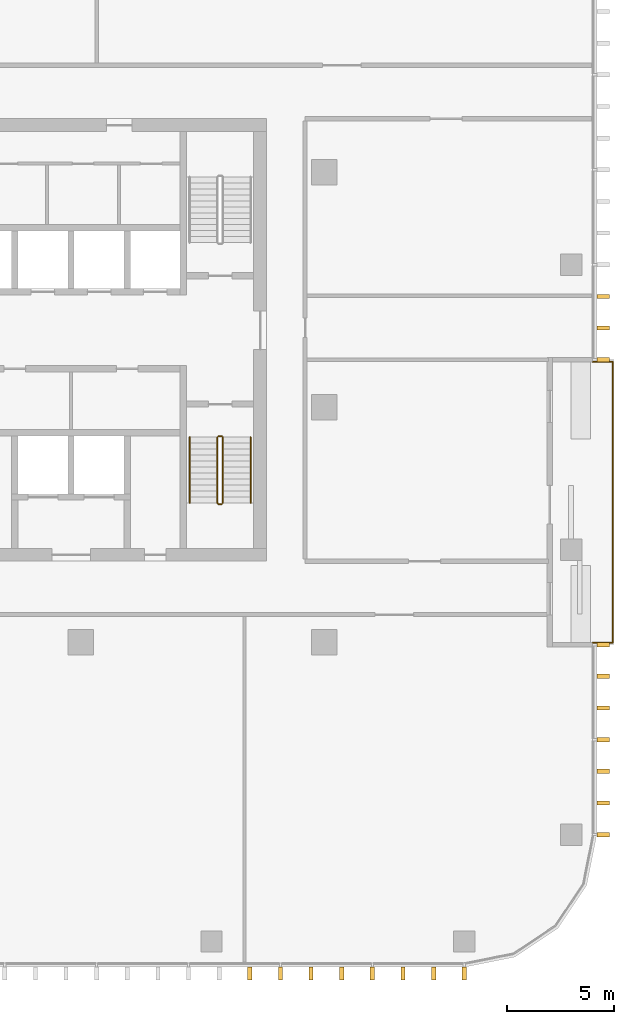
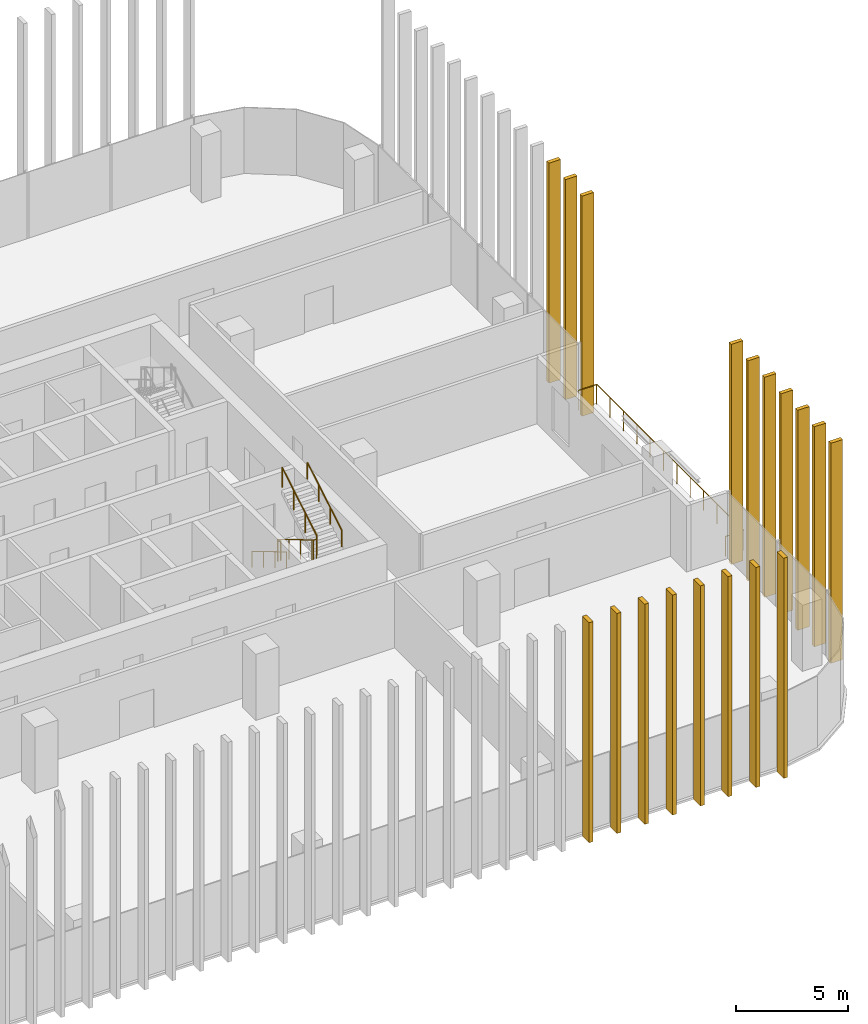
# One storey, part 13 of 16: 18 shading devices, 6 railings.
"""IFC4 building model written with IfcOpenShell, lengths in metres."""

import ifcopenshell
import ifcopenshell.guid

model = None  # the IFC model being written
_history = None  # IfcOwnerHistory: only IFC2X3 demands one
_inside = {}  # id of a spatial element -> (the spatial element, [elements in it])
_under = {}  # id of a project, library or spatial element -> (it, [spatial elements below it])
_declared = {}  # id of a project -> (the project, [libraries it declares])
_typed = {}  # id of a type object -> (the type object, [elements of that type])
_made_of = {}  # id of a material, layer set ... -> (it, [elements and type objects made of it])


def new_model(schema):
    """Start an empty IFC model of exactly this schema.

    Asked for "IFC4X3", IfcOpenShell would pick the latest addendum, in which some entities
    have other attributes; the version numbers below select the first issue.
    IFC2X3 requires an IfcOwnerHistory on every rooted entity: one is made here for all.
    """
    global model, _history
    if schema == "IFC4X3":
        model = ifcopenshell.file(schema_version=(4, 3, 0, 0))
    else:
        model = ifcopenshell.file(schema=schema)
    _inside.clear()
    _under.clear()
    _declared.clear()
    _typed.clear()
    _made_of.clear()
    _history = None
    if model.schema == "IFC2X3":
        org = make("IfcOrganization", Name="unknown")
        user = make(
            "IfcPersonAndOrganization",
            ThePerson=make("IfcPerson", FamilyName="unknown"),
            TheOrganization=org,
        )
        app = make(
            "IfcApplication",
            ApplicationDeveloper=org,
            Version="unknown",
            ApplicationFullName="unknown",
            ApplicationIdentifier="unknown",
        )
        _history = make(
            "IfcOwnerHistory",
            OwningUser=user,
            OwningApplication=app,
            ChangeAction="ADDED",
            CreationDate=0,
        )
    return model


def make(cls, **values):
    """One entity of the class cls with the attributes given. An attribute that is None is left unset."""
    return model.create_entity(
        cls, **{name: value for name, value in values.items() if value is not None}
    )


def rooted(cls, **values):
    """An entity with a GlobalId (a new one), such as an element, a storey or a relation."""
    return make(cls, GlobalId=ifcopenshell.guid.new(), OwnerHistory=_history, **values)


def si_unit(unit_type, name, prefix=None):
    """IfcSIUnit, for example si_unit("LENGTHUNIT", "METRE", prefix="MILLI")."""
    return make("IfcSIUnit", UnitType=unit_type, Prefix=prefix, Name=name)


def assignment(units):
    """IfcUnitAssignment: the units of a project."""
    return None if units is None else make("IfcUnitAssignment", Units=units)


def point(xyz):
    """IfcCartesianPoint."""
    return None if xyz is None else make("IfcCartesianPoint", Coordinates=xyz)


def direction(xyz):
    """IfcDirection."""
    return None if xyz is None else make("IfcDirection", DirectionRatios=xyz)


def frame(location, z_axis=None, x_axis=None):
    """IfcAxis2Placement3D, a coordinate frame: its origin and axes. An axis left out is left unset."""
    return make(
        "IfcAxis2Placement3D",
        Location=point(location),
        Axis=direction(z_axis),
        RefDirection=direction(x_axis),
    )


def frame_2d(location, x_axis=None):
    """IfcAxis2Placement2D, a coordinate frame in the plane: its origin and x axis."""
    return make(
        "IfcAxis2Placement2D", Location=point(location), RefDirection=direction(x_axis)
    )


def origin():
    """The frame at (0, 0, 0) with its axes left unset."""
    return frame((0.0, 0.0, 0.0))


def origin_2d():
    """The frame at (0, 0) in the plane with its x axis left unset."""
    return frame_2d((0.0, 0.0))


def place(relative_to, where):
    """IfcLocalPlacement: puts the frame where relative to a parent placement (None: the world)."""
    return make(
        "IfcLocalPlacement", PlacementRelTo=relative_to, RelativePlacement=where
    )


def context(
    kind, dimensions, precision=None, world=None, true_north=None, identifier=None
):
    """IfcGeometricRepresentationContext, for example the 3D "Model" context."""
    return make(
        "IfcGeometricRepresentationContext",
        ContextIdentifier=identifier,
        ContextType=kind,
        CoordinateSpaceDimension=dimensions,
        Precision=precision,
        WorldCoordinateSystem=world,
        TrueNorth=true_north,
    )


def subcontext(parent, identifier, kind, view, scale=None):
    """IfcGeometricRepresentationSubContext, for example "Body" below "Model"."""
    return make(
        "IfcGeometricRepresentationSubContext",
        ContextIdentifier=identifier,
        ContextType=kind,
        ParentContext=parent,
        TargetScale=scale,
        TargetView=view,
    )


def project(units=None, contexts=None):
    """IfcProject with its units and contexts."""
    return rooted(
        "IfcProject",
        Name="project",
        RepresentationContexts=contexts,
        UnitsInContext=assignment(units),
    )


def spatial(cls, under=None, at=None, **own):
    """A site, building, storey or space (cls), placed at a placement, below another one or the project."""
    s = rooted(cls, ObjectPlacement=at, **own)
    if under is not None:
        _under.setdefault(under.id(), (under, []))[1].append(s)
    return s


def profile(cls, at=None, kind="AREA", **sizes):
    """A parametric profile (cls). Its sizes go by their IFC names, for example OverallWidth=200.0."""
    return make(cls, ProfileType=kind, Position=at, **sizes)


def rectangle(**sizes):
    """IfcRectangleProfileDef."""
    return profile("IfcRectangleProfileDef", **sizes)


def circle(**sizes):
    """IfcCircleProfileDef."""
    return profile("IfcCircleProfileDef", **sizes)


def extrude(swept, where, along, depth):
    """IfcExtrudedAreaSolid: the profile swept, set in the frame where, extruded along a direction by depth."""
    return make(
        "IfcExtrudedAreaSolid",
        SweptArea=swept,
        Position=where,
        ExtrudedDirection=direction(along),
        Depth=depth,
    )


def shape(context_of_items, identifier, shape_type, items):
    """IfcShapeRepresentation: the items that make up one representation, for example the "Body"."""
    return make(
        "IfcShapeRepresentation",
        ContextOfItems=context_of_items,
        RepresentationIdentifier=identifier,
        RepresentationType=shape_type,
        Items=items,
    )


def material(Name=None, Category=None):
    """IfcMaterial."""
    return make("IfcMaterial", Name=Name, Category=Category)


def made_of(thing, what):
    """Note that an element or type object is made of a material, layer set ...; save() writes the relation."""
    if what is not None:
        _made_of.setdefault(what.id(), (what, []))[1].append(thing)
    return thing


def type_object(cls, material=None, **own):
    """A type object (cls), such as IfcWallType, which elements share."""
    return made_of(rooted(cls, **own), material)


def element(
    cls,
    number,
    at=None,
    inside=None,
    cuts=None,
    type_object=None,
    material=None,
    context=None,
    identifier="Body",
    shape_type=None,
    held_by="IfcProductDefinitionShape",
    body=None,
    shapes=None,
    **own,
):
    """One element of the class cls, such as IfcWall. Its Tag is "e" and its number.

    at: its placement. inside: the storey or other place that contains it. cuts: it is an
    opening in that element (IfcRelVoidsElement). A single representation is given by context,
    identifier, shape_type and body (its items); several are given by shapes. held_by: the class
    of the entity that holds the representations. save() writes the other relations.
    """
    e = rooted(cls, Tag="e%d" % number, ObjectPlacement=at, **own)
    if body is not None:
        shapes = [shape(context, identifier, shape_type, body)]
    if shapes is not None:
        e.Representation = make(held_by, Representations=shapes)
    if inside is not None:
        _inside.setdefault(inside.id(), (inside, []))[1].append(e)
    if cuts is not None:
        rooted(
            "IfcRelVoidsElement", RelatingBuildingElement=cuts, RelatedOpeningElement=e
        )
    if type_object is not None:
        _typed.setdefault(type_object.id(), (type_object, []))[1].append(e)
    return made_of(e, material)


def aggregate(whole, parts):
    """IfcRelAggregates: a whole, such as a stair, and the parts it consists of."""
    return rooted("IfcRelAggregates", RelatingObject=whole, RelatedObjects=parts)


def save(model, path):
    """Write the relations noted so far, then the file.

    IfcRelAggregates (storeys below a building ...), IfcRelContainedInSpatialStructure (elements
    in a storey), IfcRelDefinesByType, IfcRelAssociatesMaterial and IfcRelDeclares: one each for
    every whole, place, type object, material and project.
    """
    for whole, parts in _under.values():
        aggregate(whole, parts)
    for where, things in _inside.values():
        rooted(
            "IfcRelContainedInSpatialStructure",
            RelatedElements=things,
            RelatingStructure=where,
        )
    for kind, things in _typed.values():
        rooted("IfcRelDefinesByType", RelatedObjects=things, RelatingType=kind)
    for what, things in _made_of.values():
        rooted("IfcRelAssociatesMaterial", RelatedObjects=things, RelatingMaterial=what)
    for by, libraries in _declared.values():
        rooted("IfcRelDeclares", RelatingContext=by, RelatedDefinitions=libraries)
    model.write(path)


model = new_model("IFC4")

# Units and contexts
model_context = context("Model", 3, precision=1e-05, world=origin(), true_north=direction((0.0, 1.0)))
body_context = subcontext(model_context, "Body", "Model", "MODEL_VIEW")
ifc_project = project(units=[si_unit("LENGTHUNIT", "METRE"), si_unit("AREAUNIT", "SQUARE_METRE"), si_unit("VOLUMEUNIT", "CUBIC_METRE"), si_unit("PLANEANGLEUNIT", "RADIAN"), si_unit("MASSUNIT", "GRAM", prefix="KILO")], contexts=[model_context])

# Site, building, storey
site_placement = place(None, origin())
site = spatial("IfcSite", under=ifc_project, at=site_placement, CompositionType="ELEMENT")
building_placement = place(site_placement, origin())
building = spatial("IfcBuilding", under=site, at=building_placement, Name="Mopane Tessera Tower", CompositionType="ELEMENT")
storey_placement = place(building_placement, frame((0.0, 0.0, 267.39990234375)))
storey = spatial("IfcBuildingStorey", under=building, at=storey_placement, Name="L57", CompositionType="ELEMENT", Elevation=267.39990234375)

# Shading devices
ifc_material_1 = material(Name="Glazed ceramic tile")
shading_device_type = type_object("IfcShadingDeviceType", Name="Ceramic tile fin 600 x 200 mm", PredefinedType="USERDEFINED", material=ifc_material_1)
for number, where, z_axis, x_axis, name in (
    (1, (13.61669921875, -26.5, -0.39990234375), (0.0, 0.0, 1.0), (1.0, 0.0, 0.0), "e:fin:L57:S:8:2"),
    (2, (15.050048828125, -26.5, -0.39990234375), (0.0, 0.0, 1.0), (1.0, 0.0, 0.0), "e:fin:L57:S:9:0"),
    (3, (16.4833984375, -26.5, -0.39990234375), (0.0, 0.0, 1.0), (1.0, 0.0, 0.0), "e:fin:L57:S:9:1"),
    (4, (17.916748046875, -26.5, -0.39990234375), (0.0, 0.0, 1.0), (1.0, 0.0, 0.0), "e:fin:L57:S:9:2"),
    (5, (19.35009765625, -26.5, -0.39990234375), (0.0, 0.0, 1.0), (1.0, 0.0, 0.0), "e:fin:L57:S:10:0"),
    (6, (20.783447265625, -26.5, -0.39990234375), (0.0, 0.0, 1.0), (1.0, 0.0, 0.0), "e:fin:L57:S:10:1"),
    (7, (22.216552734375, -26.5, -0.39990234375), (0.0, 0.0, 1.0), (1.0, 0.0, 0.0), "e:fin:L57:S:10:2"),
    (8, (23.64990234375, -26.5, -0.39990234375), (0.0, 0.0, 1.0), (1.0, 0.0, 0.0), "e:fin:L57:S:10:3"),
    (9, (30.14990234375, -20.0, -0.39990234375), (0.0, 0.0, 1.0), (0.0, 1.0, 0.0), "e:fin:L57:E:0:0"),
    (10, (30.14990234375, -18.5185546875, -0.39990234375), (0.0, 0.0, 1.0), (0.0, 1.0, 0.0), "e:fin:L57:E:0:1"),
    (11, (30.14990234375, -17.037109375, -0.39990234375), (0.0, 0.0, 1.0), (0.0, 1.0, 0.0), "e:fin:L57:E:0:2"),
    (12, (30.14990234375, -15.5556640625, -0.39990234375), (0.0, 0.0, 1.0), (0.0, 1.0, 0.0), "e:fin:L57:E:1:0"),
    (13, (30.14990234375, -14.073974609375, -0.39990234375), (0.0, 0.0, 1.0), (0.0, 1.0, 0.0), "e:fin:L57:E:1:1"),
    (14, (30.14990234375, -12.592529296875, -0.39990234375), (0.0, 0.0, 1.0), (0.0, 1.0, 0.0), "e:fin:L57:E:1:2"),
    (15, (30.14990234375, -11.111083984375, -0.39990234375), (0.0, 0.0, 1.0), (0.0, 1.0, 0.0), "e:fin:L57:E:1:3"),
    (16, (30.14990234375, 2.22216796875, -0.39990234375), (0.0, 0.0, 1.0), (0.0, 1.0, 0.0), "e:fin:L57:E:5:0"),
    (17, (30.14990234375, 3.70361328125, -0.39990234375), (0.0, 0.0, 1.0), (0.0, 1.0, 0.0), "e:fin:L57:E:5:1"),
    (18, (30.14990234375, 5.185302734375, -0.39990234375), (0.0, 0.0, 1.0), (0.0, 1.0, 0.0), "e:fin:L57:E:5:2"),
):
    element("IfcShadingDevice", number, at=place(storey_placement, frame(where, z_axis=z_axis, x_axis=x_axis)), inside=storey, type_object=shading_device_type, Name=name, ObjectType="FIN", PredefinedType="USERDEFINED", context=body_context, shape_type="SweptSolid", body=[
        extrude(rectangle(XDim=0.199951171875, YDim=0.60009765625, at=origin_2d()), origin(), (0.0, 0.0, 1.0), 12.0),
    ])

# Railings
ifc_material_2 = material(Name="Powder-coated steel balustrade", Category="steel")
railing_type_1 = type_object("IfcRailingType", Name="Escape stair guard 1100 mm", PredefinedType="GUARDRAIL", material=ifc_material_2)
railing_1_placement = place(storey_placement, frame((12.10009765625, -1.39990234375, 0.166748046875)))
element("IfcRailing", 19, at=railing_1_placement, inside=storey, type_object=railing_type_1, Name="L57 ST3 stair guard 1", PredefinedType="GUARDRAIL", context=body_context, shape_type="SweptSolid", body=[
    extrude(circle(Radius=0.02392578125, at=origin_2d()), frame((0.0, 0.0, 1.076171875), z_axis=(0.0, -0.859308565015, 0.511457515432), x_axis=(1.0, 0.0, 0.0)), (0.0, 0.0, 1.0), 3.58447265625),
    extrude(circle(Radius=0.02392578125, at=origin_2d()), frame((0.0, -3.080078125, 2.9091796875), z_axis=(0.705375805398, -0.708833529934, 0.0), x_axis=(0.708833529934, 0.705375805398, 0.0)), (0.0, 0.0, 1.0), 0.070556640625),
    extrude(circle(Radius=0.02392578125, at=origin_2d()), frame((0.0498046875, -3.130126953125, 2.9091796875), z_axis=(1.0, 0.0, 0.0), x_axis=(0.0, 1.0, 0.0)), (0.0, 0.0, 1.0), 0.150146484375),
    extrude(circle(Radius=0.02099609375, at=origin_2d()), origin(), (0.0, 0.0, 1.0), 1.052001953125),
    extrude(circle(Radius=0.02099609375, at=origin_2d()), frame((0.0, -1.026611328125, 0.611083984375)), (0.0, 0.0, 1.0), 1.052001953125),
    extrude(circle(Radius=0.02099609375, at=origin_2d()), frame((0.0, -2.053466796875, 1.22216796875)), (0.0, 0.0, 1.0), 1.052001953125),
    extrude(circle(Radius=0.02099609375, at=origin_2d()), frame((0.0, -3.080078125, 1.833251953125)), (0.0, 0.0, 1.0), 1.052001953125),
    extrude(circle(Radius=0.02099609375, at=origin_2d()), frame((0.0498046875, -3.130126953125, 1.833251953125)), (0.0, 0.0, 1.0), 1.052001953125),
    extrude(circle(Radius=0.02099609375, at=origin_2d()), frame((0.199951171875, -3.130126953125, 1.833251953125)), (0.0, 0.0, 1.0), 1.052001953125),
])
railing_2_placement = place(storey_placement, frame((12.35009765625, -4.47998046875, 2.166748046875)))
element("IfcRailing", 20, at=railing_2_placement, inside=storey, type_object=railing_type_1, Name="L57 ST3 stair guard 2", PredefinedType="GUARDRAIL", context=body_context, shape_type="SweptSolid", body=[
    extrude(circle(Radius=0.02392578125, at=origin_2d()), frame((0.0, 0.0, 1.076171875), z_axis=(0.0, 0.859308565015, 0.511457515432), x_axis=(-1.0, 0.0, 0.0)), (0.0, 0.0, 1.0), 3.58447265625),
    extrude(circle(Radius=0.02099609375, at=origin_2d()), origin(), (0.0, 0.0, 1.0), 1.052001953125),
    extrude(circle(Radius=0.02099609375, at=origin_2d()), frame((0.0, 1.026611328125, 0.611083984375)), (0.0, 0.0, 1.0), 1.052001953125),
    extrude(circle(Radius=0.02099609375, at=origin_2d()), frame((0.0, 2.053466796875, 1.22216796875)), (0.0, 0.0, 1.0), 1.052001953125),
    extrude(circle(Radius=0.02099609375, at=origin_2d()), frame((0.0, 3.080078125, 1.833251953125)), (0.0, 0.0, 1.0), 1.052001953125),
])
railing_3_placement = place(storey_placement, frame((12.14990234375, -1.35009765625, 0.0)))
element("IfcRailing", 21, at=railing_3_placement, inside=storey, type_object=railing_type_1, Name="L57 ST3 stair guard 3", PredefinedType="GUARDRAIL", context=body_context, shape_type="SweptSolid", body=[
    extrude(circle(Radius=0.02392578125, at=origin_2d()), frame((0.0, 0.0, 1.076171875), z_axis=(1.0, 0.0, 0.0), x_axis=(0.0, 1.0, 0.0)), (0.0, 0.0, 1.0), 0.150146484375),
    extrude(circle(Radius=0.02099609375, at=origin_2d()), origin(), (0.0, 0.0, 1.0), 1.052001953125),
    extrude(circle(Radius=0.02099609375, at=origin_2d()), frame((0.150146484375, 0.0, 0.0)), (0.0, 0.0, 1.0), 1.052001953125),
])
ifc_material_3 = material(Name="Powder-coated steel balustrade", Category="steel")
railing_type_2 = type_object("IfcRailingType", Name="Escape stair handrail 900 mm", PredefinedType="HANDRAIL", material=ifc_material_3)
railing_4_placement = place(storey_placement, frame((10.800048828125, -1.39990234375, 0.166748046875)))
element("IfcRailing", 22, at=railing_4_placement, inside=storey, type_object=railing_type_2, Name="L57 ST3 stair handrail 1", PredefinedType="HANDRAIL", context=body_context, shape_type="SweptSolid", body=[
    extrude(circle(Radius=0.02392578125, at=origin_2d()), frame((0.0, 0.0, 0.8759765625), z_axis=(0.0, -0.859308565015, 0.511457515432), x_axis=(1.0, 0.0, 0.0)), (0.0, 0.0, 1.0), 3.58447265625),
    extrude(circle(Radius=0.02099609375, at=origin_2d()), origin(), (0.0, 0.0, 1.0), 0.851806640625),
    extrude(circle(Radius=0.02099609375, at=origin_2d()), frame((0.0, -1.026611328125, 0.611083984375)), (0.0, 0.0, 1.0), 0.851806640625),
    extrude(circle(Radius=0.02099609375, at=origin_2d()), frame((0.0, -2.053466796875, 1.22216796875)), (0.0, 0.0, 1.0), 0.851806640625),
    extrude(circle(Radius=0.02099609375, at=origin_2d()), frame((0.0, -3.080078125, 1.833251953125)), (0.0, 0.0, 1.0), 0.851806640625),
])
railing_5_placement = place(storey_placement, frame((13.64990234375, -4.47998046875, 2.166748046875)))
element("IfcRailing", 23, at=railing_5_placement, inside=storey, type_object=railing_type_2, Name="L57 ST3 stair handrail 2", PredefinedType="HANDRAIL", context=body_context, shape_type="SweptSolid", body=[
    extrude(circle(Radius=0.02392578125, at=origin_2d()), frame((0.0, 0.0, 0.8759765625), z_axis=(0.0, 0.859308565015, 0.511457515432), x_axis=(-1.0, 0.0, 0.0)), (0.0, 0.0, 1.0), 3.58447265625),
    extrude(circle(Radius=0.02099609375, at=origin_2d()), origin(), (0.0, 0.0, 1.0), 0.851806640625),
    extrude(circle(Radius=0.02099609375, at=origin_2d()), frame((0.0, 1.026611328125, 0.611083984375)), (0.0, 0.0, 1.0), 0.851806640625),
    extrude(circle(Radius=0.02099609375, at=origin_2d()), frame((0.0, 2.053466796875, 1.22216796875)), (0.0, 0.0, 1.0), 0.851806640625),
    extrude(circle(Radius=0.02099609375, at=origin_2d()), frame((0.0, 3.080078125, 1.833251953125)), (0.0, 0.0, 1.0), 0.851806640625),
])
ifc_material_4 = material(Name="Stainless steel S316", Category="steel")
railing_type_3 = type_object("IfcRailingType", Name="Terrace guard 1100", PredefinedType="GUARDRAIL", material=ifc_material_4)
railing_6_placement = place(storey_placement, frame((29.64990234375, -11.01123046875, 0.0)))
element("IfcRailing", 24, at=railing_6_placement, inside=storey, type_object=railing_type_3, Name="e:nw:L57:N1:guard", PredefinedType="GUARDRAIL", context=body_context, shape_type="SweptSolid", body=[
    extrude(circle(Radius=0.02392578125, at=origin_2d()), frame((0.0, 0.0, 1.076171875), z_axis=(1.0, 0.0, 0.0), x_axis=(0.0, 1.0, 0.0)), (0.0, 0.0, 1.0), 0.9501953125),
    extrude(circle(Radius=0.02392578125, at=origin_2d()), frame((0.9501953125, 0.0, 1.076171875), z_axis=(0.0, 1.0, 0.0), x_axis=(-1.0, 0.0, 0.0)), (0.0, 0.0, 1.0), 13.133544921875),
    extrude(circle(Radius=0.02392578125, at=origin_2d()), frame((0.9501953125, 13.133544921875, 1.076171875), z_axis=(-1.0, 0.0, 0.0), x_axis=(0.0, -1.0, 0.0)), (0.0, 0.0, 1.0), 0.9501953125),
    extrude(circle(Radius=0.02099609375, at=origin_2d()), origin(), (0.0, 0.0, 1.0), 1.052001953125),
    extrude(circle(Radius=0.02099609375, at=origin_2d()), frame((0.9501953125, 0.0, 0.0)), (0.0, 0.0, 1.0), 1.052001953125),
    extrude(circle(Radius=0.02099609375, at=origin_2d()), frame((0.9501953125, 1.19384765625, 0.0)), (0.0, 0.0, 1.0), 1.052001953125),
    extrude(circle(Radius=0.02099609375, at=origin_2d()), frame((0.9501953125, 2.387939453125, 0.0)), (0.0, 0.0, 1.0), 1.052001953125),
    extrude(circle(Radius=0.02099609375, at=origin_2d()), frame((0.9501953125, 3.581787109375, 0.0)), (0.0, 0.0, 1.0), 1.052001953125),
    extrude(circle(Radius=0.02099609375, at=origin_2d()), frame((0.9501953125, 4.77587890625, 0.0)), (0.0, 0.0, 1.0), 1.052001953125),
    extrude(circle(Radius=0.02099609375, at=origin_2d()), frame((0.9501953125, 5.9697265625, 0.0)), (0.0, 0.0, 1.0), 1.052001953125),
    extrude(circle(Radius=0.02099609375, at=origin_2d()), frame((0.9501953125, 7.163818359375, 0.0)), (0.0, 0.0, 1.0), 1.052001953125),
    extrude(circle(Radius=0.02099609375, at=origin_2d()), frame((0.9501953125, 8.357666015625, 0.0)), (0.0, 0.0, 1.0), 1.052001953125),
    extrude(circle(Radius=0.02099609375, at=origin_2d()), frame((0.9501953125, 9.5517578125, 0.0)), (0.0, 0.0, 1.0), 1.052001953125),
    extrude(circle(Radius=0.02099609375, at=origin_2d()), frame((0.9501953125, 10.74560546875, 0.0)), (0.0, 0.0, 1.0), 1.052001953125),
    extrude(circle(Radius=0.02099609375, at=origin_2d()), frame((0.9501953125, 11.939697265625, 0.0)), (0.0, 0.0, 1.0), 1.052001953125),
    extrude(circle(Radius=0.02099609375, at=origin_2d()), frame((0.9501953125, 13.133544921875, 0.0)), (0.0, 0.0, 1.0), 1.052001953125),
    extrude(circle(Radius=0.02099609375, at=origin_2d()), frame((0.0, 13.133544921875, 0.0)), (0.0, 0.0, 1.0), 1.052001953125),
])

save(model, "model.ifc")
